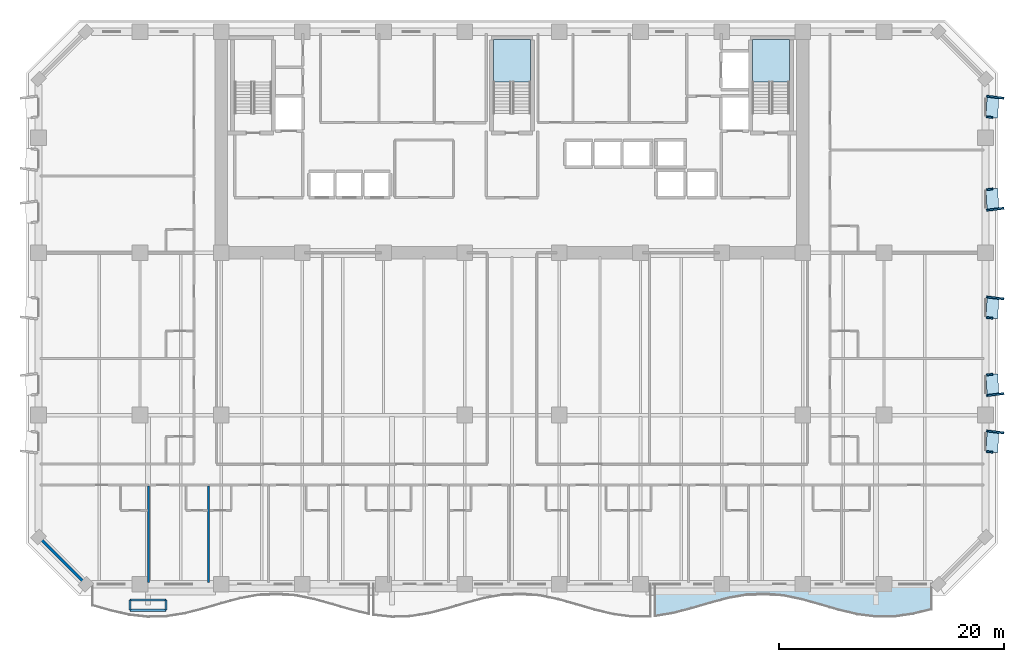
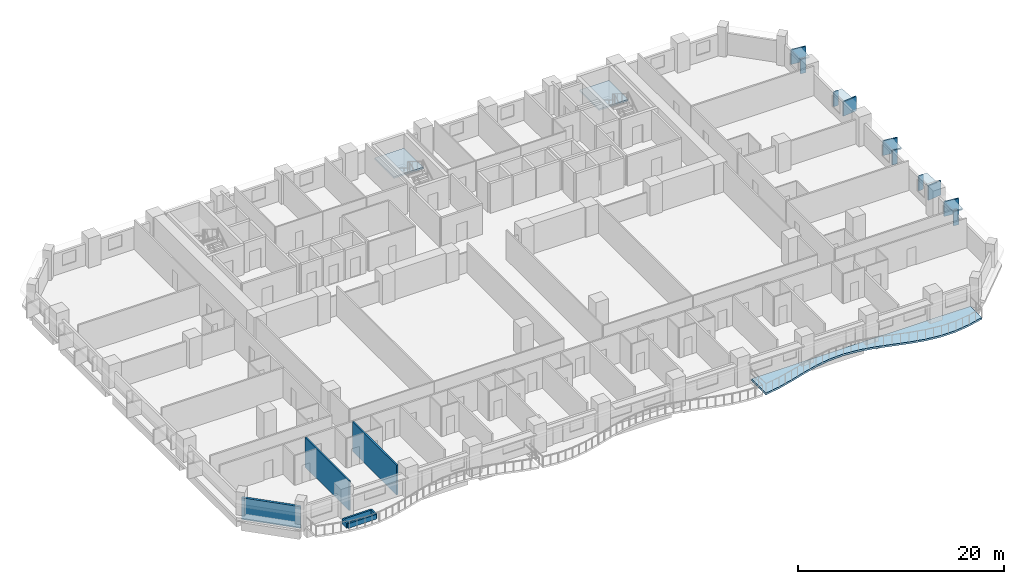
# One storey, part 3 of 16: 15 plates, 7 walls, 3 slabs, 2 elements without a shape of their own.
"""IFC4 building model written with IfcOpenShell, lengths in metres."""

from ifc_helpers import new_model, si_unit, direction, frame, frame_2d, origin, origin_2d, place, context, subcontext, project, spatial, polyline, rectangle, outline, extrude, material, layer, layer_set, type_object, element, aggregate, save


model = new_model("IFC4")

# Units and contexts
model_context = context("Model", 3, precision=1e-05, world=origin(), true_north=direction((0.0, 1.0)))
body_context = subcontext(model_context, "Body", "Model", "MODEL_VIEW")
ifc_project = project(units=[si_unit("LENGTHUNIT", "METRE"), si_unit("AREAUNIT", "SQUARE_METRE"), si_unit("VOLUMEUNIT", "CUBIC_METRE"), si_unit("PLANEANGLEUNIT", "RADIAN"), si_unit("MASSUNIT", "GRAM", prefix="KILO")], contexts=[model_context])

# Site, building, storey
site_placement = place(None, origin())
site = spatial("IfcSite", under=ifc_project, at=site_placement, CompositionType="ELEMENT")
building_placement = place(site_placement, origin())
building = spatial("IfcBuilding", under=site, at=building_placement, Name="Kaelvorn Grand Hotel", CompositionType="ELEMENT")
storey_placement = place(building_placement, frame((0.0, 0.0, 35.14990234375)))
storey = spatial("IfcBuildingStorey", under=building, at=storey_placement, Name="L06", CompositionType="ELEMENT", Elevation=35.14990234375)

# Plates
ifc_material_1 = material(Name="Precast concrete C45/55", Category="concrete")
ifc_layer_1 = layer(ifc_material_1, 0.159912109375)
ifc_layer_set_1 = layer_set([ifc_layer_1], Name="Precast concrete C45/55")
plate_type_1 = type_object("IfcPlateType", Name="PL-FRAME-DEEP-1550", PredefinedType="USERDEFINED", material=ifc_layer_set_1)
for number, where, z_axis, x_axis, name in (
    (1, (84.864990234375, 13.514892578125, 0.68994140625), (0.0, 0.0, 1.0), (0.121869343405, 0.992546151641, 0.0), "L06 Tilted Precast Window Frame Fin R-E01"),
    (2, (84.864990234375, 16.820068359375, 0.68994140625), (0.0, 0.0, 1.0), (-0.121869343405, 0.992546151641, 0.0), "L06 Tilted Precast Window Frame Fin L-E02"),
    (3, (84.864990234375, 25.39990234375, 0.68994140625), (0.0, 0.0, 1.0), (0.121869343405, 0.992546151641, 0.0), "L06 Tilted Precast Window Frame Fin R-E03"),
    (4, (84.864990234375, 33.260009765625, 0.68994140625), (0.0, 0.0, 1.0), (-0.121869343405, 0.992546151641, 0.0), "L06 Tilted Precast Window Frame Fin L-E04"),
    (5, (84.864990234375, 43.205078125, 0.68994140625), (0.0, 0.0, 1.0), (0.121869343405, 0.992546151641, 0.0), "L06 Tilted Precast Window Frame Fin R-E05"),
):
    element("IfcPlate", number, at=place(storey_placement, frame(where, z_axis=z_axis, x_axis=x_axis)), inside=storey, type_object=plate_type_1, Name=name, ObjectType="FLANGE_PLATE", PredefinedType="USERDEFINED", context=body_context, shape_type="SweptSolid", body=[
        extrude(rectangle(XDim=0.159912109375, YDim=1.550048828125, at=origin_2d()), origin(), (0.0, 0.0, 1.0), 1.719970703125),
    ])
ifc_layer_2 = layer(ifc_material_1, 0.159912109375)
ifc_layer_set_2 = layer_set([ifc_layer_2], Name="Precast concrete C45/55")
plate_type_2 = type_object("IfcPlateType", Name="PL-FRAME-HEAD-1050", PredefinedType="USERDEFINED", material=ifc_layer_set_2)
for number, where, z_axis, x_axis, name in (
    (6, (84.614990234375, 12.625, 2.25), (0.0, 0.0, 1.0), (0.054950179912, 0.998489097451, 0.0), "L06 Precast Window Frame Head Hood H-E01"),
    (7, (84.614990234375, 17.7099609375, 2.25), (0.0, 0.0, 1.0), (-0.054950179912, 0.998489097451, 0.0), "L06 Precast Window Frame Head Hood H-E02"),
    (8, (84.614990234375, 24.510009765625, 2.25), (0.0, 0.0, 1.0), (0.054950179912, 0.998489097451, 0.0), "L06 Precast Window Frame Head Hood H-E03"),
    (9, (84.614990234375, 34.14990234375, 2.25), (0.0, 0.0, 1.0), (-0.054950179912, 0.998489097451, 0.0), "L06 Precast Window Frame Head Hood H-E04"),
    (10, (84.614990234375, 42.31494140625, 2.25), (0.0, 0.0, 1.0), (0.054950179912, 0.998489097451, 0.0), "L06 Precast Window Frame Head Hood H-E05"),
):
    element("IfcPlate", number, at=place(storey_placement, frame(where, z_axis=z_axis, x_axis=x_axis)), inside=storey, type_object=plate_type_2, Name=name, ObjectType="FLANGE_PLATE", PredefinedType="USERDEFINED", context=body_context, shape_type="SweptSolid", body=[
        extrude(rectangle(XDim=1.860107421875, YDim=1.050048828125, at=origin_2d()), origin(), (0.0, 0.0, 1.0), 0.159912109375),
    ])
ifc_layer_3 = layer(ifc_material_1, 0.159912109375)
ifc_layer_set_3 = layer_set([ifc_layer_3], Name="Precast concrete C45/55")
plate_type_3 = type_object("IfcPlateType", Name="PL-FRAME-SHAL-550", PredefinedType="USERDEFINED", material=ifc_layer_set_3)
for number, where, z_axis, x_axis, name in (
    (11, (84.364990234375, 11.735107421875, 0.68994140625), (0.0, 0.0, 1.0), (0.121869343405, 0.992546151641, 0.0), "L06 Tilted Precast Window Frame Fin L-E01"),
    (12, (84.364990234375, 18.60009765625, 0.68994140625), (0.0, 0.0, 1.0), (-0.121869343405, 0.992546151641, 0.0), "L06 Tilted Precast Window Frame Fin R-E02"),
    (13, (84.364990234375, 23.6201171875, 0.68994140625), (0.0, 0.0, 1.0), (0.121869343405, 0.992546151641, 0.0), "L06 Tilted Precast Window Frame Fin L-E03"),
    (14, (84.364990234375, 35.0400390625, 0.68994140625), (0.0, 0.0, 1.0), (-0.121869343405, 0.992546151641, 0.0), "L06 Tilted Precast Window Frame Fin R-E04"),
    (15, (84.364990234375, 41.425048828125, 0.68994140625), (0.0, 0.0, 1.0), (0.121869343405, 0.992546151641, 0.0), "L06 Tilted Precast Window Frame Fin L-E05"),
):
    element("IfcPlate", number, at=place(storey_placement, frame(where, z_axis=z_axis, x_axis=x_axis)), inside=storey, type_object=plate_type_3, Name=name, ObjectType="FLANGE_PLATE", PredefinedType="USERDEFINED", context=body_context, shape_type="SweptSolid", body=[
        extrude(rectangle(XDim=0.159912109375, YDim=0.550048828125, at=origin_2d()), origin(), (0.0, 0.0, 1.0), 1.719970703125),
    ])

# Slab
ifc_material_2 = material(Name="Concrete C40/50", Category="concrete")
ifc_layer_4 = layer(ifc_material_2, 0.219970703125)
ifc_layer_set_4 = layer_set([ifc_layer_4], Name="Concrete C40/50")
slab_type_1 = type_object("IfcSlabType", Name="SLB-BALC-220-C40", PredefinedType="FLOOR", material=ifc_layer_set_4)
slab_1_placement = place(storey_placement, frame((0.0, 0.0, -0.219970703125)))
element("IfcSlab", 16, at=slab_1_placement, inside=storey, type_object=slab_type_1, Name="L06 Scalloped Wave Balcony Slab 3", PredefinedType="FLOOR", context=body_context, shape_type="SweptSolid", body=[
    extrude(outline(polyline([(54.666748046875, -2.831298828125), (56.30224609375, -2.555908203125), (57.937744140625, -2.12939453125), (59.5732421875, -1.646240234375), (61.208984375, -1.214111328125), (62.844482421875, -0.9287109375), (64.47998046875, -0.853515625), (66.115478515625, -1.005126953125), (67.751220703125, -1.349853515625), (69.38671875, -1.8115234375), (71.022216796875, -2.287109375), (72.65771484375, -2.671142578125), (74.293212890625, -2.87841796875), (75.928955078125, -2.86279296875), (77.564453125, -2.627685546875), (79.199951171875, -2.2255859375), (79.199951171875, 0.0), (54.666748046875, 0.0), (54.666748046875, -2.831298828125)])), origin(), (0.0, 0.0, 1.0), 0.219970703125),
])

# Stair, slab
stair_type = type_object("IfcStairType", Name="STR-DOG-1560-R06", PredefinedType="HALF_TURN_STAIR", material=ifc_material_2)
stair_1_placement = place(storey_placement, origin())
stair_1 = element("IfcStair", 17, at=stair_1_placement, inside=storey, type_object=stair_type, Name="L06 Central Core Exit Stair ST2", PredefinedType="HALF_TURN_STAIR")
ifc_layer_5 = layer(ifc_material_2, 0.199951171875)
ifc_layer_set_5 = layer_set([ifc_layer_5], Name="Concrete C40/50")
slab_type_2 = type_object("IfcSlabType", Name="SLB-LAND-200-C40", PredefinedType="LANDING", material=ifc_layer_set_5)
slab_2_placement = place(storey_placement, frame((0.0, 0.0, 1.675048828125)))
slab_2 = element("IfcSlab", 18, at=slab_2_placement, type_object=slab_type_2, Name="ST2 landing 1", PredefinedType="LANDING", context=body_context, shape_type="SweptSolid", body=[
    extrude(outline(polyline([(43.639892578125, 44.56005859375), (43.639892578125, 48.300048828125), (40.360107421875, 48.300048828125), (40.360107421875, 44.56005859375), (43.639892578125, 44.56005859375)])), origin(), (0.0, 0.0, 1.0), 0.199951171875),
])
aggregate(stair_1, [slab_2])

stair_2_placement = place(storey_placement, origin())
stair_2 = element("IfcStair", 19, at=stair_2_placement, inside=storey, type_object=stair_type, Name="L06 East Core Exit Stair ST3", PredefinedType="HALF_TURN_STAIR")
slab_3_placement = place(storey_placement, frame((0.0, 0.0, 1.675048828125)))
slab_3 = element("IfcSlab", 20, at=slab_3_placement, type_object=slab_type_2, Name="ST3 landing 1", PredefinedType="LANDING", context=body_context, shape_type="SweptSolid", body=[
    extrude(outline(polyline([(66.60009765625, 44.56005859375), (66.60009765625, 48.300048828125), (63.320068359375, 48.300048828125), (63.320068359375, 44.56005859375), (66.60009765625, 44.56005859375)])), origin(), (0.0, 0.0, 1.0), 0.199951171875),
])
aggregate(stair_2, [slab_3])

# Walls
ifc_layer_6 = layer(ifc_material_2, 0.260009765625)
ifc_layer_set_6 = layer_set([ifc_layer_6], Name="Concrete C40/50")
wall_type_1 = type_object("IfcWallType", Name="WL-EXT-260-C40", PredefinedType="SOLIDWALL", material=ifc_layer_set_6)
wall_1_placement = place(storey_placement, frame((0.0, 4.199951171875, 0.0), z_axis=(0.0, 0.0, 1.0), x_axis=(0.707106781187, -0.707106781187, 0.0)))
element("IfcWall", 21, at=wall_1_placement, inside=storey, type_object=wall_type_1, Name="L06 Exterior Architectural Concrete Wall 08", PredefinedType="SOLIDWALL", context=body_context, shape_type="SweptSolid", body=[
    extrude(rectangle(XDim=5.939697265625, YDim=0.260009765625, at=frame_2d((2.9697265625, 0.0))), origin(), (0.0, 0.0, 1.0), 2.56005859375),
])
ifc_material_3 = material(Name="Acoustic Gypsum & Stud Partition")
ifc_layer_7 = layer(ifc_material_3, 0.179931640625)
ifc_layer_set_7 = layer_set([ifc_layer_7], Name="Acoustic Gypsum & Stud Partition")
wall_type_2 = type_object("IfcWallType", Name="WL-PART-180-EI60", PredefinedType="PARTITIONING", material=ifc_layer_set_7)
for number, where, z_axis, x_axis, name in (
    (22, (9.771240234375, 0.14990234375, 0.0), (0.0, 0.0, 1.0), (0.0, 1.0, 0.0), "L06 Deluxe Panoramic Suite L06-01 E Partition"),
    (23, (15.092529296875, 0.14990234375, 0.0), (0.0, 0.0, 1.0), (0.0, 1.0, 0.0), "L06 Deluxe King Guest Room L06-02 E Partition"),
):
    element("IfcWall", number, at=place(storey_placement, frame(where, z_axis=z_axis, x_axis=x_axis)), inside=storey, type_object=wall_type_2, Name=name, PredefinedType="PARTITIONING", context=body_context, shape_type="SweptSolid", body=[
        extrude(rectangle(XDim=8.55517578125, YDim=0.179931640625, at=frame_2d((4.277587890625, 0.0))), origin(), (0.0, 0.0, 1.0), 3.510009765625),
    ])
ifc_layer_8 = layer(ifc_material_2, 0.199951171875)
ifc_layer_set_8 = layer_set([ifc_layer_8], Name="Concrete C40/50")
wall_type_3 = type_object("IfcWallType", Name="WL-TREE-PLANTER-200", PredefinedType="PARAPET", material=ifc_layer_set_8)
wall_2_placement = place(storey_placement, frame((8.106689453125, -2.300048828125, 0.0), z_axis=(0.0, 0.0, 1.0), x_axis=(1.0, 0.0, 0.0)))
element("IfcWall", 24, at=wall_2_placement, inside=storey, type_object=wall_type_3, Name="L06 Planted Balcony Structural TREE PLANTER Kerb 1-S", PredefinedType="PARAPET", context=body_context, shape_type="SweptSolid", body=[
    extrude(rectangle(XDim=3.199951171875, YDim=0.199951171875, at=frame_2d((1.60009765625, 0.0))), origin(), (0.0, 0.0, 1.0), 0.550048828125),
])
wall_3_placement = place(storey_placement, frame((11.306640625, -2.300048828125, 0.0), z_axis=(0.0, 0.0, 1.0), x_axis=(0.0, 1.0, 0.0)))
element("IfcWall", 25, at=wall_3_placement, inside=storey, type_object=wall_type_3, Name="L06 Planted Balcony Structural TREE PLANTER Kerb 1-E", PredefinedType="PARAPET", context=body_context, shape_type="SweptSolid", body=[
    extrude(rectangle(XDim=0.900146484375, YDim=0.199951171875, at=frame_2d((0.4501953125, 0.0))), origin(), (0.0, 0.0, 1.0), 0.550048828125),
])
wall_4_placement = place(storey_placement, frame((11.306640625, -1.39990234375, 0.0), z_axis=(0.0, 0.0, 1.0), x_axis=(-1.0, 0.0, 0.0)))
element("IfcWall", 26, at=wall_4_placement, inside=storey, type_object=wall_type_3, Name="L06 Planted Balcony Structural TREE PLANTER Kerb 1-N", PredefinedType="PARAPET", context=body_context, shape_type="SweptSolid", body=[
    extrude(rectangle(XDim=3.199951171875, YDim=0.199951171875, at=frame_2d((1.60009765625, 0.0))), origin(), (0.0, 0.0, 1.0), 0.550048828125),
])
wall_5_placement = place(storey_placement, frame((8.106689453125, -1.39990234375, 0.0), z_axis=(0.0, 0.0, 1.0), x_axis=(0.0, -1.0, 0.0)))
element("IfcWall", 27, at=wall_5_placement, inside=storey, type_object=wall_type_3, Name="L06 Planted Balcony Structural TREE PLANTER Kerb 1-W", PredefinedType="PARAPET", context=body_context, shape_type="SweptSolid", body=[
    extrude(rectangle(XDim=0.900146484375, YDim=0.199951171875, at=frame_2d((0.4501953125, 0.0))), origin(), (0.0, 0.0, 1.0), 0.550048828125),
])

save(model, "model.ifc")
